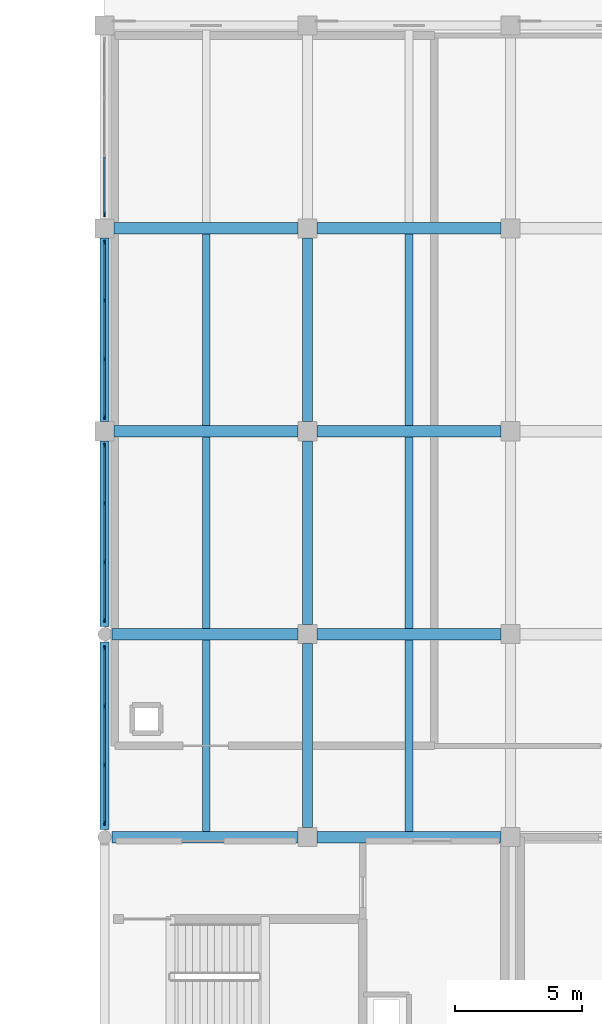
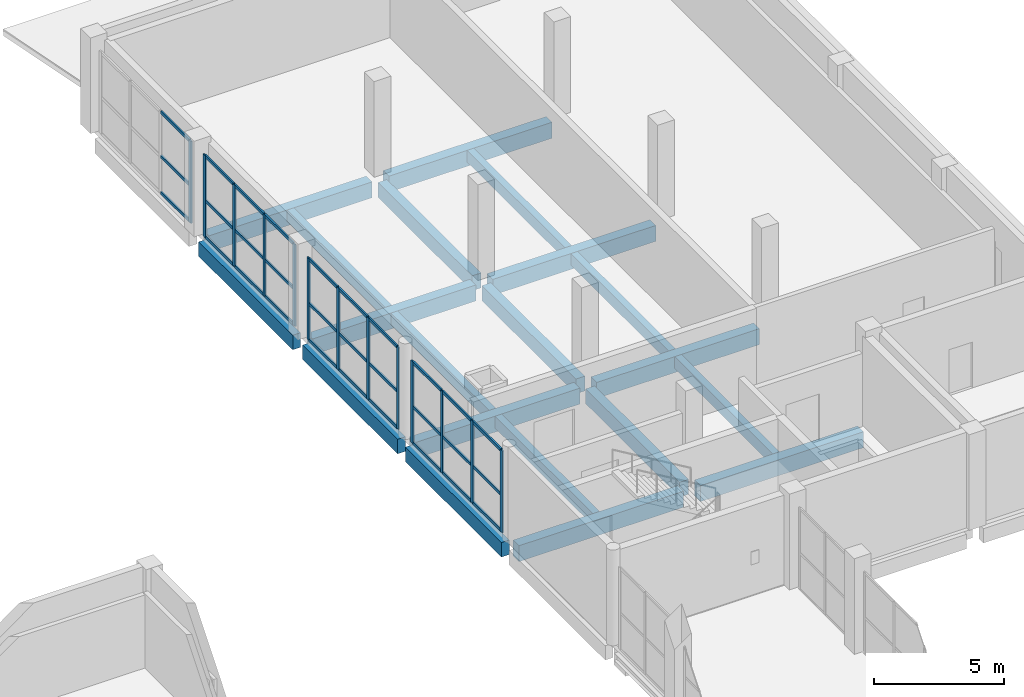
# One storey, part 18 of 53: 43 members, 20 beams, 4 elements without a shape of their own.
"""IFC4 building model written with IfcOpenShell, lengths in metres."""

from ifc_helpers import new_model, si_unit, direction, frame, origin, origin_2d, place, context, subcontext, project, spatial, rectangle, extrude, material, layer, layer_set, material_profile, profile_set, type_object, element, aggregate, save


model = new_model("IFC4")

# Units and contexts
model_context = context("Model", 3, precision=1e-05, world=origin(), true_north=direction((0.0, 1.0)))
body_context = subcontext(model_context, "Body", "Model", "MODEL_VIEW")
ifc_project = project(units=[si_unit("LENGTHUNIT", "METRE"), si_unit("AREAUNIT", "SQUARE_METRE"), si_unit("VOLUMEUNIT", "CUBIC_METRE"), si_unit("PLANEANGLEUNIT", "RADIAN"), si_unit("MASSUNIT", "GRAM", prefix="KILO")], contexts=[model_context])

# Site, building, storey
site_placement = place(None, origin())
site = spatial("IfcSite", under=ifc_project, at=site_placement, CompositionType="ELEMENT")
building_placement = place(site_placement, origin())
building = spatial("IfcBuilding", under=site, at=building_placement, Name="Qorikala Patio Media Centre", CompositionType="ELEMENT")
storey_placement = place(building_placement, frame((0.0, 0.0, 5.39990234375)))
storey = spatial("IfcBuildingStorey", under=building, at=storey_placement, Name="L01", CompositionType="ELEMENT", Elevation=5.39990234375)

# Beams
ifc_material_1 = material(Name="Concrete C35/45", Category="concrete")
ifc_material_profile_1 = material_profile(ifc_material_1, rectangle(XDim=0.39990234375, YDim=0.699951171875, at=origin_2d()), Name="RC 400x700")
ifc_profile_set_1 = profile_set([ifc_material_profile_1], Name="Concrete C35/45")
beam_type_1 = type_object("IfcBeamType", Name="BM-G400X700", PredefinedType="BEAM", material=ifc_profile_set_1)
for number, where, z_axis, x_axis, name in (
    (1, (59.0, 72.375, -0.64990234375), (0.0, 1.0, 0.0), (-1.0, 0.0, 0.0), "L01 Grid X=59 Beam 0613"),
    (2, (59.0, 80.375, -0.64990234375), (0.0, 1.0, 0.0), (-1.0, 0.0, 0.0), "L01 Grid X=59 Beam 0614"),
    (3, (59.0, 88.375, -0.64990234375), (0.0, 1.0, 0.0), (-1.0, 0.0, 0.0), "L01 Grid X=59 Beam 0615"),
):
    element("IfcBeam", number, at=place(storey_placement, frame(where, z_axis=z_axis, x_axis=x_axis)), inside=storey, type_object=beam_type_1, Name=name, PredefinedType="BEAM", context=body_context, shape_type="SweptSolid", body=[
        extrude(rectangle(XDim=0.39990234375, YDim=0.699951171875, at=origin_2d()), origin(), (0.0, 0.0, 1.0), 7.25),
    ])
ifc_material_profile_2 = material_profile(ifc_material_1, rectangle(XDim=0.449951171875, YDim=0.75, at=origin_2d()), Name="RC 450x750")
ifc_profile_set_2 = profile_set([ifc_material_profile_2], Name="Concrete C35/45")
beam_type_2 = type_object("IfcBeamType", Name="BM-G450X750", PredefinedType="BEAM", material=ifc_profile_set_2)
beam_1_placement = place(storey_placement, frame((51.300048828125, 72.0, -0.6748046875), z_axis=(1.0, 0.0, 0.0), x_axis=(0.0, 1.0, 0.0)))
element("IfcBeam", 4, at=beam_1_placement, inside=storey, type_object=beam_type_2, Name="L01 Grid 72 Beam 0509", PredefinedType="BEAM", context=body_context, shape_type="SweptSolid", body=[
    extrude(rectangle(XDim=0.449951171875, YDim=0.75, at=origin_2d()), origin(), (0.0, 0.0, 1.0), 7.324951171875),
])
beam_2_placement = place(storey_placement, frame((59.375, 72.0, -0.6748046875), z_axis=(1.0, 0.0, 0.0), x_axis=(0.0, 1.0, 0.0)))
element("IfcBeam", 5, at=beam_2_placement, inside=storey, type_object=beam_type_2, Name="L01 Grid 72 Beam 0510", PredefinedType="BEAM", context=body_context, shape_type="SweptSolid", body=[
    extrude(rectangle(XDim=0.449951171875, YDim=0.75, at=origin_2d()), origin(), (0.0, 0.0, 1.0), 7.25),
])
beam_3_placement = place(storey_placement, frame((51.300048828125, 80.0, -0.6748046875), z_axis=(1.0, 0.0, 0.0), x_axis=(0.0, 1.0, 0.0)))
element("IfcBeam", 6, at=beam_3_placement, inside=storey, type_object=beam_type_2, Name="L01 Grid 80 Beam 0514", PredefinedType="BEAM", context=body_context, shape_type="SweptSolid", body=[
    extrude(rectangle(XDim=0.449951171875, YDim=0.75, at=origin_2d()), origin(), (0.0, 0.0, 1.0), 7.324951171875),
])
for number, where, z_axis, x_axis, name in (
    (7, (59.375, 80.0, -0.6748046875), (1.0, 0.0, 0.0), (0.0, 1.0, 0.0), "L01 Grid 80 Beam 0515"),
    (8, (51.375, 88.0, -0.6748046875), (1.0, 0.0, 0.0), (0.0, 1.0, 0.0), "L01 Grid 88 Beam 0518"),
    (9, (59.375, 88.0, -0.6748046875), (1.0, 0.0, 0.0), (0.0, 1.0, 0.0), "L01 Grid 88 Beam 0519"),
    (10, (51.375, 96.0, -0.6748046875), (1.0, 0.0, 0.0), (0.0, 1.0, 0.0), "L01 Grid 96 Beam 0523"),
    (11, (59.375, 96.0, -0.6748046875), (1.0, 0.0, 0.0), (0.0, 1.0, 0.0), "L01 Grid 96 Beam 0524"),
):
    element("IfcBeam", number, at=place(storey_placement, frame(where, z_axis=z_axis, x_axis=x_axis)), inside=storey, type_object=beam_type_2, Name=name, PredefinedType="BEAM", context=body_context, shape_type="SweptSolid", body=[
        extrude(rectangle(XDim=0.449951171875, YDim=0.75, at=origin_2d()), origin(), (0.0, 0.0, 1.0), 7.25),
    ])

# Curtain wall, members
ifc_material_2 = material(Name="Bronze Anodised Aluminium and Low-E Glass", Category="aluminium")
ifc_layer = layer(ifc_material_2, 0.159912109375)
ifc_layer_set = layer_set([ifc_layer], Name="Bronze Anodised Aluminium and Low-E Glass")
curtain_wall_type = type_object("IfcCurtainWallType", Name="CW-PAT-696X385", PredefinedType="USERDEFINED", material=ifc_layer_set)
curtain_wall_1_placement = place(storey_placement, origin())
curtain_wall_1 = element("IfcCurtainWall", 12, at=curtain_wall_1_placement, inside=storey, type_object=curtain_wall_type, Name="L01 Courtyard Curtain Wall 021", ObjectType="COURTYARD CURTAIN WALL", PredefinedType="USERDEFINED")
ifc_material_3 = material(Name="Bronze Anodised Aluminium", Category="aluminium")
ifc_material_profile_3 = material_profile(ifc_material_3, rectangle(XDim=0.070068359375, YDim=0.179931640625, at=origin_2d()), Name="ALU MULLION 70x180")
ifc_profile_set_3 = profile_set([ifc_material_profile_3], Name="Bronze Anodised Aluminium")
member_type_1 = type_object("IfcMemberType", Name="CWM-70X180", PredefinedType="MULLION", material=ifc_profile_set_3)
member_1_placement = place(storey_placement, frame((51.0, 72.554931640625, 0.0), z_axis=(0.0, 0.0, 1.0), x_axis=(-1.0, 0.0, 0.0)))
member_1 = element("IfcMember", 13, at=member_1_placement, type_object=member_type_1, Name="CWP696385 mullion 1", PredefinedType="MULLION", context=body_context, shape_type="SweptSolid", body=[
    extrude(rectangle(XDim=0.070068359375, YDim=0.179931640625, at=origin_2d()), origin(), (0.0, 0.0, 1.0), 3.85009765625),
])
member_2_placement = place(storey_placement, frame((51.0, 74.840087890625, 0.0), z_axis=(0.0, 0.0, 1.0), x_axis=(-1.0, 0.0, 0.0)))
member_2 = element("IfcMember", 14, at=member_2_placement, type_object=member_type_1, Name="CWP696385 mullion 2", PredefinedType="MULLION", context=body_context, shape_type="SweptSolid", body=[
    extrude(rectangle(XDim=0.070068359375, YDim=0.179931640625, at=origin_2d()), origin(), (0.0, 0.0, 1.0), 3.85009765625),
])
member_3_placement = place(storey_placement, frame((51.0, 77.159912109375, 0.0), z_axis=(0.0, 0.0, 1.0), x_axis=(-1.0, 0.0, 0.0)))
member_3 = element("IfcMember", 15, at=member_3_placement, type_object=member_type_1, Name="CWP696385 mullion 3", PredefinedType="MULLION", context=body_context, shape_type="SweptSolid", body=[
    extrude(rectangle(XDim=0.070068359375, YDim=0.179931640625, at=origin_2d()), origin(), (0.0, 0.0, 1.0), 3.85009765625),
])
member_4_placement = place(storey_placement, frame((51.0, 79.445068359375, 0.0), z_axis=(0.0, 0.0, 1.0), x_axis=(-1.0, 0.0, 0.0)))
member_4 = element("IfcMember", 16, at=member_4_placement, type_object=member_type_1, Name="CWP696385 mullion 4", PredefinedType="MULLION", context=body_context, shape_type="SweptSolid", body=[
    extrude(rectangle(XDim=0.070068359375, YDim=0.179931640625, at=origin_2d()), origin(), (0.0, 0.0, 1.0), 3.85009765625),
])

curtain_wall_2_placement = place(storey_placement, origin())
curtain_wall_2 = element("IfcCurtainWall", 17, at=curtain_wall_2_placement, inside=storey, type_object=curtain_wall_type, Name="L01 Courtyard Curtain Wall 022", ObjectType="COURTYARD CURTAIN WALL", PredefinedType="USERDEFINED")
member_5_placement = place(storey_placement, frame((51.0, 80.554931640625, 0.0), z_axis=(0.0, 0.0, 1.0), x_axis=(-1.0, 0.0, 0.0)))
member_5 = element("IfcMember", 18, at=member_5_placement, type_object=member_type_1, Name="CWP696385 mullion 1", PredefinedType="MULLION", context=body_context, shape_type="SweptSolid", body=[
    extrude(rectangle(XDim=0.070068359375, YDim=0.179931640625, at=origin_2d()), origin(), (0.0, 0.0, 1.0), 3.85009765625),
])
member_6_placement = place(storey_placement, frame((51.0, 82.840087890625, 0.0), z_axis=(0.0, 0.0, 1.0), x_axis=(-1.0, 0.0, 0.0)))
member_6 = element("IfcMember", 19, at=member_6_placement, type_object=member_type_1, Name="CWP696385 mullion 2", PredefinedType="MULLION", context=body_context, shape_type="SweptSolid", body=[
    extrude(rectangle(XDim=0.070068359375, YDim=0.179931640625, at=origin_2d()), origin(), (0.0, 0.0, 1.0), 3.85009765625),
])
member_7_placement = place(storey_placement, frame((51.0, 85.159912109375, 0.0), z_axis=(0.0, 0.0, 1.0), x_axis=(-1.0, 0.0, 0.0)))
member_7 = element("IfcMember", 20, at=member_7_placement, type_object=member_type_1, Name="CWP696385 mullion 3", PredefinedType="MULLION", context=body_context, shape_type="SweptSolid", body=[
    extrude(rectangle(XDim=0.070068359375, YDim=0.179931640625, at=origin_2d()), origin(), (0.0, 0.0, 1.0), 3.85009765625),
])
member_8_placement = place(storey_placement, frame((51.0, 87.445068359375, 0.0), z_axis=(0.0, 0.0, 1.0), x_axis=(-1.0, 0.0, 0.0)))
member_8 = element("IfcMember", 21, at=member_8_placement, type_object=member_type_1, Name="CWP696385 mullion 4", PredefinedType="MULLION", context=body_context, shape_type="SweptSolid", body=[
    extrude(rectangle(XDim=0.070068359375, YDim=0.179931640625, at=origin_2d()), origin(), (0.0, 0.0, 1.0), 3.85009765625),
])

curtain_wall_3_placement = place(storey_placement, origin())
curtain_wall_3 = element("IfcCurtainWall", 22, at=curtain_wall_3_placement, inside=storey, type_object=curtain_wall_type, Name="L01 Courtyard Curtain Wall 023", ObjectType="COURTYARD CURTAIN WALL", PredefinedType="USERDEFINED")
member_9_placement = place(storey_placement, frame((51.0, 88.554931640625, 0.0), z_axis=(0.0, 0.0, 1.0), x_axis=(-1.0, 0.0, 0.0)))
member_9 = element("IfcMember", 23, at=member_9_placement, type_object=member_type_1, Name="CWP696385 mullion 1", PredefinedType="MULLION", context=body_context, shape_type="SweptSolid", body=[
    extrude(rectangle(XDim=0.070068359375, YDim=0.179931640625, at=origin_2d()), origin(), (0.0, 0.0, 1.0), 3.85009765625),
])
member_10_placement = place(storey_placement, frame((51.0, 90.840087890625, 0.0), z_axis=(0.0, 0.0, 1.0), x_axis=(-1.0, 0.0, 0.0)))
member_10 = element("IfcMember", 24, at=member_10_placement, type_object=member_type_1, Name="CWP696385 mullion 2", PredefinedType="MULLION", context=body_context, shape_type="SweptSolid", body=[
    extrude(rectangle(XDim=0.070068359375, YDim=0.179931640625, at=origin_2d()), origin(), (0.0, 0.0, 1.0), 3.85009765625),
])
member_11_placement = place(storey_placement, frame((51.0, 93.159912109375, 0.0), z_axis=(0.0, 0.0, 1.0), x_axis=(-1.0, 0.0, 0.0)))
member_11 = element("IfcMember", 25, at=member_11_placement, type_object=member_type_1, Name="CWP696385 mullion 3", PredefinedType="MULLION", context=body_context, shape_type="SweptSolid", body=[
    extrude(rectangle(XDim=0.070068359375, YDim=0.179931640625, at=origin_2d()), origin(), (0.0, 0.0, 1.0), 3.85009765625),
])
member_12_placement = place(storey_placement, frame((51.0, 95.445068359375, 0.0), z_axis=(0.0, 0.0, 1.0), x_axis=(-1.0, 0.0, 0.0)))
member_12 = element("IfcMember", 26, at=member_12_placement, type_object=member_type_1, Name="CWP696385 mullion 4", PredefinedType="MULLION", context=body_context, shape_type="SweptSolid", body=[
    extrude(rectangle(XDim=0.070068359375, YDim=0.179931640625, at=origin_2d()), origin(), (0.0, 0.0, 1.0), 3.85009765625),
])

# Curtain wall, member
curtain_wall_4_placement = place(storey_placement, origin())
curtain_wall_4 = element("IfcCurtainWall", 27, at=curtain_wall_4_placement, inside=storey, type_object=curtain_wall_type, Name="L01 Courtyard Curtain Wall 024", ObjectType="COURTYARD CURTAIN WALL", PredefinedType="USERDEFINED")
member_13_placement = place(storey_placement, frame((51.0, 96.554931640625, 0.0), z_axis=(0.0, 0.0, 1.0), x_axis=(-1.0, 0.0, 0.0)))
member_13 = element("IfcMember", 28, at=member_13_placement, type_object=member_type_1, Name="CWP696385 mullion 1", PredefinedType="MULLION", context=body_context, shape_type="SweptSolid", body=[
    extrude(rectangle(XDim=0.070068359375, YDim=0.179931640625, at=origin_2d()), origin(), (0.0, 0.0, 1.0), 3.85009765625),
])

# Member
ifc_material_profile_4 = material_profile(ifc_material_3, rectangle(XDim=0.070068359375, YDim=0.139892578125, at=origin_2d()), Name="ALU TRANSOM 70x140")
ifc_profile_set_4 = profile_set([ifc_material_profile_4], Name="Bronze Anodised Aluminium")
member_type_2 = type_object("IfcMemberType", Name="CWT-70X140", PredefinedType="USERDEFINED", material=ifc_profile_set_4)
member_14_placement = place(storey_placement, frame((51.0, 72.590087890625, 0.03515625), z_axis=(0.0, 1.0, 0.0), x_axis=(-1.0, 0.0, 0.0)))
member_14 = element("IfcMember", 29, at=member_14_placement, type_object=member_type_2, Name="CWP696385 transom 1.1", ObjectType="TRANSOM", PredefinedType="USERDEFINED", context=body_context, shape_type="SweptSolid", body=[
    extrude(rectangle(XDim=0.070068359375, YDim=0.139892578125, at=origin_2d()), origin(), (0.0, 0.0, 1.0), 2.21484375),
])

member_15_placement = place(storey_placement, frame((51.0, 72.590087890625, 1.732666015625), z_axis=(0.0, 1.0, 0.0), x_axis=(-1.0, 0.0, 0.0)))
member_15 = element("IfcMember", 30, at=member_15_placement, type_object=member_type_2, Name="CWP696385 transom 1.2", ObjectType="TRANSOM", PredefinedType="USERDEFINED", context=body_context, shape_type="SweptSolid", body=[
    extrude(rectangle(XDim=0.070068359375, YDim=0.139892578125, at=origin_2d()), origin(), (0.0, 0.0, 1.0), 2.21484375),
])

member_16_placement = place(storey_placement, frame((51.0, 72.590087890625, 3.815185546875), z_axis=(0.0, 1.0, 0.0), x_axis=(-1.0, 0.0, 0.0)))
member_16 = element("IfcMember", 31, at=member_16_placement, type_object=member_type_2, Name="CWP696385 transom 1.3", ObjectType="TRANSOM", PredefinedType="USERDEFINED", context=body_context, shape_type="SweptSolid", body=[
    extrude(rectangle(XDim=0.070068359375, YDim=0.139892578125, at=origin_2d()), origin(), (0.0, 0.0, 1.0), 2.21484375),
])

member_17_placement = place(storey_placement, frame((51.0, 74.875, 0.03515625), z_axis=(0.0, 1.0, 0.0), x_axis=(-1.0, 0.0, 0.0)))
member_17 = element("IfcMember", 32, at=member_17_placement, type_object=member_type_2, Name="CWP696385 transom 2.1", ObjectType="TRANSOM", PredefinedType="USERDEFINED", context=body_context, shape_type="SweptSolid", body=[
    extrude(rectangle(XDim=0.070068359375, YDim=0.139892578125, at=origin_2d()), origin(), (0.0, 0.0, 1.0), 2.25),
])

member_18_placement = place(storey_placement, frame((51.0, 74.875, 1.732666015625), z_axis=(0.0, 1.0, 0.0), x_axis=(-1.0, 0.0, 0.0)))
member_18 = element("IfcMember", 33, at=member_18_placement, type_object=member_type_2, Name="CWP696385 transom 2.2", ObjectType="TRANSOM", PredefinedType="USERDEFINED", context=body_context, shape_type="SweptSolid", body=[
    extrude(rectangle(XDim=0.070068359375, YDim=0.139892578125, at=origin_2d()), origin(), (0.0, 0.0, 1.0), 2.25),
])

member_19_placement = place(storey_placement, frame((51.0, 74.875, 3.815185546875), z_axis=(0.0, 1.0, 0.0), x_axis=(-1.0, 0.0, 0.0)))
member_19 = element("IfcMember", 34, at=member_19_placement, type_object=member_type_2, Name="CWP696385 transom 2.3", ObjectType="TRANSOM", PredefinedType="USERDEFINED", context=body_context, shape_type="SweptSolid", body=[
    extrude(rectangle(XDim=0.070068359375, YDim=0.139892578125, at=origin_2d()), origin(), (0.0, 0.0, 1.0), 2.25),
])

member_20_placement = place(storey_placement, frame((51.0, 77.195068359375, 0.03515625), z_axis=(0.0, 1.0, 0.0), x_axis=(-1.0, 0.0, 0.0)))
member_20 = element("IfcMember", 35, at=member_20_placement, type_object=member_type_2, Name="CWP696385 transom 3.1", ObjectType="TRANSOM", PredefinedType="USERDEFINED", context=body_context, shape_type="SweptSolid", body=[
    extrude(rectangle(XDim=0.070068359375, YDim=0.139892578125, at=origin_2d()), origin(), (0.0, 0.0, 1.0), 2.21484375),
])

member_21_placement = place(storey_placement, frame((51.0, 77.195068359375, 1.732666015625), z_axis=(0.0, 1.0, 0.0), x_axis=(-1.0, 0.0, 0.0)))
member_21 = element("IfcMember", 36, at=member_21_placement, type_object=member_type_2, Name="CWP696385 transom 3.2", ObjectType="TRANSOM", PredefinedType="USERDEFINED", context=body_context, shape_type="SweptSolid", body=[
    extrude(rectangle(XDim=0.070068359375, YDim=0.139892578125, at=origin_2d()), origin(), (0.0, 0.0, 1.0), 2.21484375),
])

member_22_placement = place(storey_placement, frame((51.0, 77.195068359375, 3.815185546875), z_axis=(0.0, 1.0, 0.0), x_axis=(-1.0, 0.0, 0.0)))
member_22 = element("IfcMember", 37, at=member_22_placement, type_object=member_type_2, Name="CWP696385 transom 3.3", ObjectType="TRANSOM", PredefinedType="USERDEFINED", context=body_context, shape_type="SweptSolid", body=[
    extrude(rectangle(XDim=0.070068359375, YDim=0.139892578125, at=origin_2d()), origin(), (0.0, 0.0, 1.0), 2.21484375),
])

aggregate(curtain_wall_1, [member_1, member_2, member_3, member_4, member_14, member_15, member_16, member_17, member_18, member_19, member_20, member_21, member_22])

member_23_placement = place(storey_placement, frame((51.0, 80.590087890625, 0.03515625), z_axis=(0.0, 1.0, 0.0), x_axis=(-1.0, 0.0, 0.0)))
member_23 = element("IfcMember", 38, at=member_23_placement, type_object=member_type_2, Name="CWP696385 transom 1.1", ObjectType="TRANSOM", PredefinedType="USERDEFINED", context=body_context, shape_type="SweptSolid", body=[
    extrude(rectangle(XDim=0.070068359375, YDim=0.139892578125, at=origin_2d()), origin(), (0.0, 0.0, 1.0), 2.21484375),
])

member_24_placement = place(storey_placement, frame((51.0, 80.590087890625, 1.732666015625), z_axis=(0.0, 1.0, 0.0), x_axis=(-1.0, 0.0, 0.0)))
member_24 = element("IfcMember", 39, at=member_24_placement, type_object=member_type_2, Name="CWP696385 transom 1.2", ObjectType="TRANSOM", PredefinedType="USERDEFINED", context=body_context, shape_type="SweptSolid", body=[
    extrude(rectangle(XDim=0.070068359375, YDim=0.139892578125, at=origin_2d()), origin(), (0.0, 0.0, 1.0), 2.21484375),
])

member_25_placement = place(storey_placement, frame((51.0, 80.590087890625, 3.815185546875), z_axis=(0.0, 1.0, 0.0), x_axis=(-1.0, 0.0, 0.0)))
member_25 = element("IfcMember", 40, at=member_25_placement, type_object=member_type_2, Name="CWP696385 transom 1.3", ObjectType="TRANSOM", PredefinedType="USERDEFINED", context=body_context, shape_type="SweptSolid", body=[
    extrude(rectangle(XDim=0.070068359375, YDim=0.139892578125, at=origin_2d()), origin(), (0.0, 0.0, 1.0), 2.21484375),
])

member_26_placement = place(storey_placement, frame((51.0, 82.875, 0.03515625), z_axis=(0.0, 1.0, 0.0), x_axis=(-1.0, 0.0, 0.0)))
member_26 = element("IfcMember", 41, at=member_26_placement, type_object=member_type_2, Name="CWP696385 transom 2.1", ObjectType="TRANSOM", PredefinedType="USERDEFINED", context=body_context, shape_type="SweptSolid", body=[
    extrude(rectangle(XDim=0.070068359375, YDim=0.139892578125, at=origin_2d()), origin(), (0.0, 0.0, 1.0), 2.25),
])

member_27_placement = place(storey_placement, frame((51.0, 82.875, 1.732666015625), z_axis=(0.0, 1.0, 0.0), x_axis=(-1.0, 0.0, 0.0)))
member_27 = element("IfcMember", 42, at=member_27_placement, type_object=member_type_2, Name="CWP696385 transom 2.2", ObjectType="TRANSOM", PredefinedType="USERDEFINED", context=body_context, shape_type="SweptSolid", body=[
    extrude(rectangle(XDim=0.070068359375, YDim=0.139892578125, at=origin_2d()), origin(), (0.0, 0.0, 1.0), 2.25),
])

member_28_placement = place(storey_placement, frame((51.0, 82.875, 3.815185546875), z_axis=(0.0, 1.0, 0.0), x_axis=(-1.0, 0.0, 0.0)))
member_28 = element("IfcMember", 43, at=member_28_placement, type_object=member_type_2, Name="CWP696385 transom 2.3", ObjectType="TRANSOM", PredefinedType="USERDEFINED", context=body_context, shape_type="SweptSolid", body=[
    extrude(rectangle(XDim=0.070068359375, YDim=0.139892578125, at=origin_2d()), origin(), (0.0, 0.0, 1.0), 2.25),
])

member_29_placement = place(storey_placement, frame((51.0, 85.195068359375, 0.03515625), z_axis=(0.0, 1.0, 0.0), x_axis=(-1.0, 0.0, 0.0)))
member_29 = element("IfcMember", 44, at=member_29_placement, type_object=member_type_2, Name="CWP696385 transom 3.1", ObjectType="TRANSOM", PredefinedType="USERDEFINED", context=body_context, shape_type="SweptSolid", body=[
    extrude(rectangle(XDim=0.070068359375, YDim=0.139892578125, at=origin_2d()), origin(), (0.0, 0.0, 1.0), 2.21484375),
])

member_30_placement = place(storey_placement, frame((51.0, 85.195068359375, 1.732666015625), z_axis=(0.0, 1.0, 0.0), x_axis=(-1.0, 0.0, 0.0)))
member_30 = element("IfcMember", 45, at=member_30_placement, type_object=member_type_2, Name="CWP696385 transom 3.2", ObjectType="TRANSOM", PredefinedType="USERDEFINED", context=body_context, shape_type="SweptSolid", body=[
    extrude(rectangle(XDim=0.070068359375, YDim=0.139892578125, at=origin_2d()), origin(), (0.0, 0.0, 1.0), 2.21484375),
])

member_31_placement = place(storey_placement, frame((51.0, 85.195068359375, 3.815185546875), z_axis=(0.0, 1.0, 0.0), x_axis=(-1.0, 0.0, 0.0)))
member_31 = element("IfcMember", 46, at=member_31_placement, type_object=member_type_2, Name="CWP696385 transom 3.3", ObjectType="TRANSOM", PredefinedType="USERDEFINED", context=body_context, shape_type="SweptSolid", body=[
    extrude(rectangle(XDim=0.070068359375, YDim=0.139892578125, at=origin_2d()), origin(), (0.0, 0.0, 1.0), 2.21484375),
])

aggregate(curtain_wall_2, [member_5, member_6, member_7, member_8, member_23, member_24, member_25, member_26, member_27, member_28, member_29, member_30, member_31])

member_32_placement = place(storey_placement, frame((51.0, 88.590087890625, 0.03515625), z_axis=(0.0, 1.0, 0.0), x_axis=(-1.0, 0.0, 0.0)))
member_32 = element("IfcMember", 47, at=member_32_placement, type_object=member_type_2, Name="CWP696385 transom 1.1", ObjectType="TRANSOM", PredefinedType="USERDEFINED", context=body_context, shape_type="SweptSolid", body=[
    extrude(rectangle(XDim=0.070068359375, YDim=0.139892578125, at=origin_2d()), origin(), (0.0, 0.0, 1.0), 2.21484375),
])

member_33_placement = place(storey_placement, frame((51.0, 88.590087890625, 1.732666015625), z_axis=(0.0, 1.0, 0.0), x_axis=(-1.0, 0.0, 0.0)))
member_33 = element("IfcMember", 48, at=member_33_placement, type_object=member_type_2, Name="CWP696385 transom 1.2", ObjectType="TRANSOM", PredefinedType="USERDEFINED", context=body_context, shape_type="SweptSolid", body=[
    extrude(rectangle(XDim=0.070068359375, YDim=0.139892578125, at=origin_2d()), origin(), (0.0, 0.0, 1.0), 2.21484375),
])

member_34_placement = place(storey_placement, frame((51.0, 88.590087890625, 3.815185546875), z_axis=(0.0, 1.0, 0.0), x_axis=(-1.0, 0.0, 0.0)))
member_34 = element("IfcMember", 49, at=member_34_placement, type_object=member_type_2, Name="CWP696385 transom 1.3", ObjectType="TRANSOM", PredefinedType="USERDEFINED", context=body_context, shape_type="SweptSolid", body=[
    extrude(rectangle(XDim=0.070068359375, YDim=0.139892578125, at=origin_2d()), origin(), (0.0, 0.0, 1.0), 2.21484375),
])

member_35_placement = place(storey_placement, frame((51.0, 90.875, 0.03515625), z_axis=(0.0, 1.0, 0.0), x_axis=(-1.0, 0.0, 0.0)))
member_35 = element("IfcMember", 50, at=member_35_placement, type_object=member_type_2, Name="CWP696385 transom 2.1", ObjectType="TRANSOM", PredefinedType="USERDEFINED", context=body_context, shape_type="SweptSolid", body=[
    extrude(rectangle(XDim=0.070068359375, YDim=0.139892578125, at=origin_2d()), origin(), (0.0, 0.0, 1.0), 2.25),
])

member_36_placement = place(storey_placement, frame((51.0, 90.875, 1.732666015625), z_axis=(0.0, 1.0, 0.0), x_axis=(-1.0, 0.0, 0.0)))
member_36 = element("IfcMember", 51, at=member_36_placement, type_object=member_type_2, Name="CWP696385 transom 2.2", ObjectType="TRANSOM", PredefinedType="USERDEFINED", context=body_context, shape_type="SweptSolid", body=[
    extrude(rectangle(XDim=0.070068359375, YDim=0.139892578125, at=origin_2d()), origin(), (0.0, 0.0, 1.0), 2.25),
])

member_37_placement = place(storey_placement, frame((51.0, 90.875, 3.815185546875), z_axis=(0.0, 1.0, 0.0), x_axis=(-1.0, 0.0, 0.0)))
member_37 = element("IfcMember", 52, at=member_37_placement, type_object=member_type_2, Name="CWP696385 transom 2.3", ObjectType="TRANSOM", PredefinedType="USERDEFINED", context=body_context, shape_type="SweptSolid", body=[
    extrude(rectangle(XDim=0.070068359375, YDim=0.139892578125, at=origin_2d()), origin(), (0.0, 0.0, 1.0), 2.25),
])

member_38_placement = place(storey_placement, frame((51.0, 93.195068359375, 0.03515625), z_axis=(0.0, 1.0, 0.0), x_axis=(-1.0, 0.0, 0.0)))
member_38 = element("IfcMember", 53, at=member_38_placement, type_object=member_type_2, Name="CWP696385 transom 3.1", ObjectType="TRANSOM", PredefinedType="USERDEFINED", context=body_context, shape_type="SweptSolid", body=[
    extrude(rectangle(XDim=0.070068359375, YDim=0.139892578125, at=origin_2d()), origin(), (0.0, 0.0, 1.0), 2.21484375),
])

member_39_placement = place(storey_placement, frame((51.0, 93.195068359375, 1.732666015625), z_axis=(0.0, 1.0, 0.0), x_axis=(-1.0, 0.0, 0.0)))
member_39 = element("IfcMember", 54, at=member_39_placement, type_object=member_type_2, Name="CWP696385 transom 3.2", ObjectType="TRANSOM", PredefinedType="USERDEFINED", context=body_context, shape_type="SweptSolid", body=[
    extrude(rectangle(XDim=0.070068359375, YDim=0.139892578125, at=origin_2d()), origin(), (0.0, 0.0, 1.0), 2.21484375),
])

member_40_placement = place(storey_placement, frame((51.0, 93.195068359375, 3.815185546875), z_axis=(0.0, 1.0, 0.0), x_axis=(-1.0, 0.0, 0.0)))
member_40 = element("IfcMember", 55, at=member_40_placement, type_object=member_type_2, Name="CWP696385 transom 3.3", ObjectType="TRANSOM", PredefinedType="USERDEFINED", context=body_context, shape_type="SweptSolid", body=[
    extrude(rectangle(XDim=0.070068359375, YDim=0.139892578125, at=origin_2d()), origin(), (0.0, 0.0, 1.0), 2.21484375),
])

aggregate(curtain_wall_3, [member_9, member_10, member_11, member_12, member_32, member_33, member_34, member_35, member_36, member_37, member_38, member_39, member_40])

member_41_placement = place(storey_placement, frame((51.0, 96.590087890625, 0.03515625), z_axis=(0.0, 1.0, 0.0), x_axis=(-1.0, 0.0, 0.0)))
member_41 = element("IfcMember", 56, at=member_41_placement, type_object=member_type_2, Name="CWP696385 transom 1.1", ObjectType="TRANSOM", PredefinedType="USERDEFINED", context=body_context, shape_type="SweptSolid", body=[
    extrude(rectangle(XDim=0.070068359375, YDim=0.139892578125, at=origin_2d()), origin(), (0.0, 0.0, 1.0), 2.21484375),
])

member_42_placement = place(storey_placement, frame((51.0, 96.590087890625, 1.732666015625), z_axis=(0.0, 1.0, 0.0), x_axis=(-1.0, 0.0, 0.0)))
member_42 = element("IfcMember", 57, at=member_42_placement, type_object=member_type_2, Name="CWP696385 transom 1.2", ObjectType="TRANSOM", PredefinedType="USERDEFINED", context=body_context, shape_type="SweptSolid", body=[
    extrude(rectangle(XDim=0.070068359375, YDim=0.139892578125, at=origin_2d()), origin(), (0.0, 0.0, 1.0), 2.21484375),
])

member_43_placement = place(storey_placement, frame((51.0, 96.590087890625, 3.815185546875), z_axis=(0.0, 1.0, 0.0), x_axis=(-1.0, 0.0, 0.0)))
member_43 = element("IfcMember", 58, at=member_43_placement, type_object=member_type_2, Name="CWP696385 transom 1.3", ObjectType="TRANSOM", PredefinedType="USERDEFINED", context=body_context, shape_type="SweptSolid", body=[
    extrude(rectangle(XDim=0.070068359375, YDim=0.139892578125, at=origin_2d()), origin(), (0.0, 0.0, 1.0), 2.21484375),
])

aggregate(curtain_wall_4, [member_13, member_41, member_42, member_43])

# Beams
ifc_material_profile_5 = material_profile(ifc_material_1, rectangle(XDim=0.300048828125, YDim=0.550048828125, at=origin_2d()), Name="RC 300x550")
ifc_profile_set_5 = profile_set([ifc_material_profile_5], Name="Concrete C35/45")
beam_type_3 = type_object("IfcBeamType", Name="JS-300X550", PredefinedType="JOIST", material=ifc_profile_set_5)
for number, where, z_axis, x_axis, name in (
    (59, (55.0, 72.22509765625, -0.574951171875), (0.0, 1.0, 0.0), (-1.0, 0.0, 0.0), "L01 Secondary Joist 0707"),
    (60, (55.0, 80.22509765625, -0.574951171875), (0.0, 1.0, 0.0), (-1.0, 0.0, 0.0), "L01 Secondary Joist 0708"),
    (61, (55.0, 88.22509765625, -0.574951171875), (0.0, 1.0, 0.0), (-1.0, 0.0, 0.0), "L01 Secondary Joist 0709"),
    (62, (63.0, 72.22509765625, -0.574951171875), (0.0, 1.0, 0.0), (-1.0, 0.0, 0.0), "L01 Secondary Joist 0714"),
    (63, (63.0, 80.22509765625, -0.574951171875), (0.0, 1.0, 0.0), (-1.0, 0.0, 0.0), "L01 Secondary Joist 0715"),
    (64, (63.0, 88.22509765625, -0.574951171875), (0.0, 1.0, 0.0), (-1.0, 0.0, 0.0), "L01 Secondary Joist 0716"),
):
    element("IfcBeam", number, at=place(storey_placement, frame(where, z_axis=z_axis, x_axis=x_axis)), inside=storey, type_object=beam_type_3, Name=name, PredefinedType="JOIST", context=body_context, shape_type="SweptSolid", body=[
        extrude(rectangle(XDim=0.300048828125, YDim=0.550048828125, at=origin_2d()), origin(), (0.0, 0.0, 1.0), 7.5498046875),
    ])
ifc_material_profile_6 = material_profile(ifc_material_1, rectangle(XDim=0.35009765625, YDim=0.679931640625, at=origin_2d()), Name="RC 350x680")
ifc_profile_set_6 = profile_set([ifc_material_profile_6], Name="Concrete C35/45")
beam_type_4 = type_object("IfcBeamType", Name="SP-350X680", PredefinedType="SPANDREL", material=ifc_profile_set_6)
beam_4_placement = place(storey_placement, frame((51.0, 72.300048828125, -0.639892578125), z_axis=(0.0, 1.0, 0.0), x_axis=(-1.0, 0.0, 0.0)))
element("IfcBeam", 65, at=beam_4_placement, inside=storey, type_object=beam_type_4, Name="L01 Grid X=51 Beam 0601", PredefinedType="SPANDREL", context=body_context, shape_type="SweptSolid", body=[
    extrude(rectangle(XDim=0.35009765625, YDim=0.679931640625, at=origin_2d()), origin(), (0.0, 0.0, 1.0), 7.39990234375),
])
beam_5_placement = place(storey_placement, frame((51.0, 80.300048828125, -0.639892578125), z_axis=(0.0, 1.0, 0.0), x_axis=(-1.0, 0.0, 0.0)))
element("IfcBeam", 66, at=beam_5_placement, inside=storey, type_object=beam_type_4, Name="L01 Grid X=51 Beam 0602", PredefinedType="SPANDREL", context=body_context, shape_type="SweptSolid", body=[
    extrude(rectangle(XDim=0.35009765625, YDim=0.679931640625, at=origin_2d()), origin(), (0.0, 0.0, 1.0), 7.324951171875),
])
beam_6_placement = place(storey_placement, frame((51.0, 88.375, -0.639892578125), z_axis=(0.0, 1.0, 0.0), x_axis=(-1.0, 0.0, 0.0)))
element("IfcBeam", 67, at=beam_6_placement, inside=storey, type_object=beam_type_4, Name="L01 Grid X=51 Beam 0603", PredefinedType="SPANDREL", context=body_context, shape_type="SweptSolid", body=[
    extrude(rectangle(XDim=0.35009765625, YDim=0.679931640625, at=origin_2d()), origin(), (0.0, 0.0, 1.0), 7.25),
])

save(model, "model.ifc")
